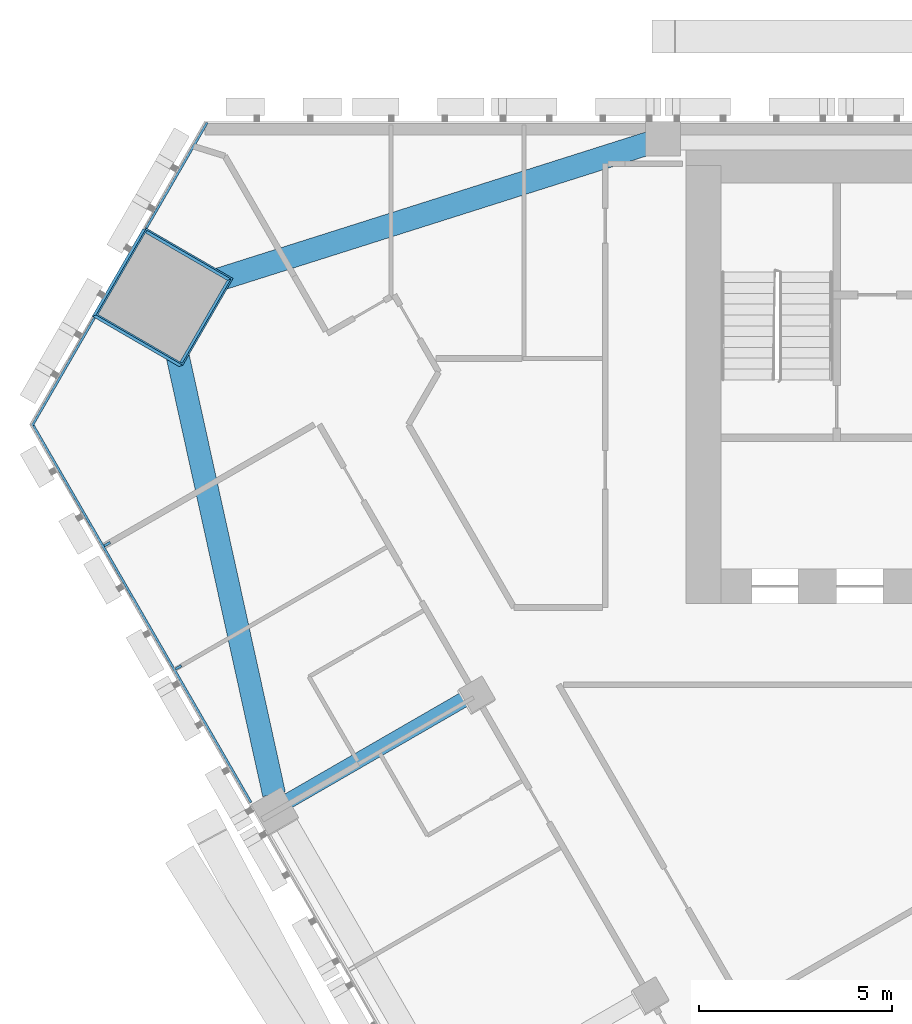
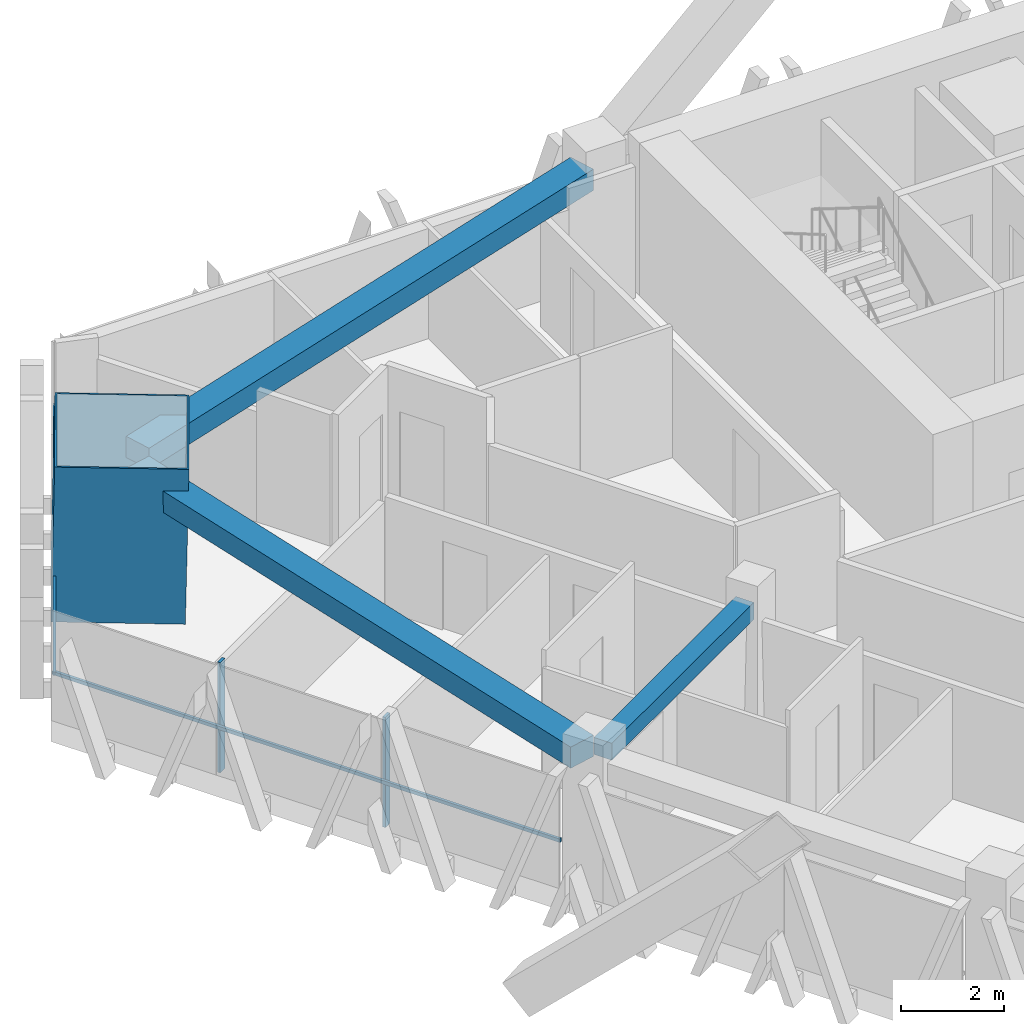
# One storey, part 8 of 19: 6 members, 3 beams, 2 elements without a shape of their own.
"""IFC4 building model written with IfcOpenShell, lengths in metres."""

from ifc_helpers import new_model, si_unit, direction, frame, origin, origin_2d, place, context, subcontext, project, spatial, rectangle, hollow_rectangle, extrude, material, layer, layer_set, material_profile, profile_set, type_object, element, aggregate, save


model = new_model("IFC4")

# Units and contexts
model_context = context("Model", 3, precision=1e-05, world=origin(), true_north=direction((0.0, 1.0)))
body_context = subcontext(model_context, "Body", "Model", "MODEL_VIEW")
ifc_project = project(units=[si_unit("LENGTHUNIT", "METRE"), si_unit("AREAUNIT", "SQUARE_METRE"), si_unit("VOLUMEUNIT", "CUBIC_METRE"), si_unit("PLANEANGLEUNIT", "RADIAN"), si_unit("MASSUNIT", "GRAM", prefix="KILO")], contexts=[model_context])

# Site, building, storey
site_placement = place(None, origin())
site = spatial("IfcSite", under=ifc_project, at=site_placement, CompositionType="ELEMENT")
building_placement = place(site_placement, origin())
building = spatial("IfcBuilding", under=site, at=building_placement, Name="Altiplano Prism Tower", CompositionType="ELEMENT")
storey_placement = place(building_placement, frame((0.0, 0.0, 70.199951171875)))
storey = spatial("IfcBuildingStorey", under=building, at=storey_placement, Name="L17", CompositionType="ELEMENT", Elevation=70.199951171875)

# Curtain wall, members
ifc_material_1 = material(Name="Aluminium and glass", Category="aluminium")
ifc_layer = layer(ifc_material_1, 0.280029296875)
ifc_layer_set = layer_set([ifc_layer], Name="Aluminium and glass")
curtain_wall_type = type_object("IfcCurtainWallType", Name="CW1 typical co-living unitised curtain wall", PredefinedType="NOTDEFINED", material=ifc_layer_set)
curtain_wall_1_placement = place(storey_placement, origin())
curtain_wall_1 = element("IfcCurtainWall", 1, at=curtain_wall_1_placement, inside=storey, type_object=curtain_wall_type, Name="CW1 curtain wall south-west face L17", PredefinedType="NOTDEFINED")
ifc_material_2 = material(Name="Aluminium", Category="aluminium")
ifc_material_profile_1 = material_profile(ifc_material_2, rectangle(XDim=0.179931640625, YDim=0.06494140625, at=origin_2d()), Name="CW1 mullion 65 x 180")
ifc_profile_set_1 = profile_set([ifc_material_profile_1], Name="Aluminium")
member_type_1 = type_object("IfcMemberType", Name="CW1 mullion 65 x 180", PredefinedType="MULLION", material=ifc_profile_set_1)
member_1_placement = place(storey_placement, frame((57.09375, 94.040283203125, 0.0), z_axis=(0.0, 0.0, 1.0), x_axis=(0.86602540313, 0.500000001134, 0.0)))
member_1 = element("IfcMember", 2, at=member_1_placement, type_object=member_type_1, Name="CW1 mullion", PredefinedType="MULLION", context=body_context, shape_type="SweptSolid", body=[
    extrude(rectangle(XDim=0.179931640625, YDim=0.06494140625, at=origin_2d()), origin(), (0.0, 0.0, 1.0), 2.60009765625),
])
member_2_placement = place(storey_placement, frame((58.93798828125, 90.845947265625, 0.0), z_axis=(0.0, 0.0, 1.0), x_axis=(0.86602540313, 0.500000001134, 0.0)))
member_2 = element("IfcMember", 3, at=member_2_placement, type_object=member_type_1, Name="CW1 mullion", PredefinedType="MULLION", context=body_context, shape_type="SweptSolid", body=[
    extrude(rectangle(XDim=0.179931640625, YDim=0.06494140625, at=origin_2d()), origin(), (0.0, 0.0, 1.0), 2.60009765625),
])

curtain_wall_2_placement = place(storey_placement, origin())
curtain_wall_2 = element("IfcCurtainWall", 4, at=curtain_wall_2_placement, inside=storey, type_object=curtain_wall_type, Name="CW1 curtain wall north-west chamfer L17", PredefinedType="NOTDEFINED")
ifc_material_profile_2 = material_profile(ifc_material_2, rectangle(XDim=0.06005859375, YDim=0.080078125, at=origin_2d()), Name="CW1 transom 80 x 60")
ifc_profile_set_2 = profile_set([ifc_material_profile_2], Name="Aluminium")
member_type_2 = type_object("IfcMemberType", Name="CW1 transom 80 x 60", PredefinedType="USERDEFINED", material=ifc_profile_set_2)
member_3_placement = place(storey_placement, frame((59.68359375, 104.965087890625, 1.10009765625), z_axis=(-0.499996807431, -0.866027247007, 0.0), x_axis=(0.866027247007, -0.499996807431, 0.0)))
member_3 = element("IfcMember", 5, at=member_3_placement, type_object=member_type_2, Name="CW1 transom", ObjectType="TRANSOM", PredefinedType="USERDEFINED", context=body_context, shape_type="SweptSolid", body=[
    extrude(rectangle(XDim=0.06005859375, YDim=0.080078125, at=origin_2d()), origin(), (0.0, 0.0, 1.0), 3.158203125),
])
member_4_placement = place(storey_placement, frame((56.7646484375, 99.908935546875, 1.10009765625), z_axis=(-0.500031372725, -0.866007289976, 0.0), x_axis=(0.866007289976, -0.500031372725, 0.0)))
member_4 = element("IfcMember", 6, at=member_4_placement, type_object=member_type_2, Name="CW1 transom", ObjectType="TRANSOM", PredefinedType="USERDEFINED", context=body_context, shape_type="SweptSolid", body=[
    extrude(rectangle(XDim=0.06005859375, YDim=0.080078125, at=origin_2d()), origin(), (0.0, 0.0, 1.0), 3.238037109375),
])
aggregate(curtain_wall_2, [member_3, member_4])

# Member
member_5_placement = place(storey_placement, frame((55.1455078125, 97.174560546875, 1.10009765625), z_axis=(0.500008019114, -0.866020773897, 0.0), x_axis=(0.866020773897, 0.500008019114, 0.0)))
member_5 = element("IfcMember", 7, at=member_5_placement, type_object=member_type_2, Name="CW1 transom", ObjectType="TRANSOM", PredefinedType="USERDEFINED", context=body_context, shape_type="SweptSolid", body=[
    extrude(rectangle(XDim=0.06005859375, YDim=0.080078125, at=origin_2d()), origin(), (0.0, 0.0, 1.0), 11.347412109375),
])

aggregate(curtain_wall_1, [member_1, member_2, member_5])

# Beams
ifc_material_3 = material(Name="Concrete C60/75", Category="concrete")
ifc_material_profile_3 = material_profile(ifc_material_3, rectangle(XDim=0.60009765625, YDim=0.5, at=origin_2d()), Name="Edge beam 600x500")
ifc_profile_set_3 = profile_set([ifc_material_profile_3], Name="Concrete C60/75")
beam_type_1 = type_object("IfcBeamType", Name="Edge beam 600x500", PredefinedType="SPANDREL", material=ifc_profile_set_3)
for number, where, z_axis, x_axis, name in (
    (8, (71.164306640625, 104.443603515625, 2.85009765625), (-0.953208029555, -0.30231515409, 0.0), (0.30231515409, -0.953208029555, 0.0), "Edge beam P04-M0 L18"),
    (9, (58.6787109375, 100.013671875, 2.85009765625), (0.214805163084, -0.976656921295, 0.0), (0.976656921295, 0.214805163084, 0.0), "Edge beam M0-P11 L18"),
):
    element("IfcBeam", number, at=place(storey_placement, frame(where, z_axis=z_axis, x_axis=x_axis)), inside=storey, type_object=beam_type_1, Name=name, PredefinedType="SPANDREL", context=body_context, shape_type="SweptSolid", body=[
        extrude(rectangle(XDim=0.60009765625, YDim=0.5, at=origin_2d()), origin(), (0.0, 0.0, 1.0), 12.75),
    ])

# Member
ifc_material_4 = material(Name="Steel S460", Category="steel")
ifc_material_profile_4 = material_profile(ifc_material_4, hollow_rectangle(XDim=2.60009765625, YDim=2.60009765625, WallThickness=0.0400390625, at=origin_2d()), Name="Mega column tube 2600")
ifc_profile_set_4 = profile_set([ifc_material_profile_4], Name="Steel S460")
member_type_3 = type_object("IfcMemberType", Name="Mega column tube 2600", PredefinedType="POST", material=ifc_profile_set_4)
member_6_placement = place(storey_placement, frame((58.479736328125, 100.419921875, 0.0), z_axis=(0.028401814599, 0.009218727412, 0.999554076572), x_axis=(-0.865120105842, 0.501167447702, 0.019959755287)))
element("IfcMember", 10, at=member_6_placement, inside=storey, type_object=member_type_3, Name="Mega column tube M0 L17", PredefinedType="POST", context=body_context, shape_type="SweptSolid", body=[
    extrude(hollow_rectangle(XDim=2.60009765625, YDim=2.60009765625, WallThickness=0.0400390625, at=origin_2d()), origin(), (0.0, 0.0, 1.0), 3.601806640625),
])

# Beam
ifc_material_profile_5 = material_profile(ifc_material_3, rectangle(XDim=0.39990234375, YDim=0.39990234375, at=origin_2d()), Name="Tie beam 400x400")
ifc_profile_set_5 = profile_set([ifc_material_profile_5], Name="Concrete C60/75")
beam_type_2 = type_object("IfcBeamType", Name="Tie beam 400x400", PredefinedType="BEAM", material=ifc_profile_set_5)
beam_placement = place(storey_placement, frame((66.533203125, 90.12744140625, 2.900146484375), z_axis=(-0.866012292785, -0.50002270823, 0.0), x_axis=(0.50002270823, -0.866012292785, 0.0)))
element("IfcBeam", 11, at=beam_placement, inside=storey, type_object=beam_type_2, Name="Tie beam I11 L18", PredefinedType="BEAM", context=body_context, shape_type="SweptSolid", body=[
    extrude(rectangle(XDim=0.39990234375, YDim=0.39990234375, at=origin_2d()), origin(), (0.0, 0.0, 1.0), 5.489990234375),
])

save(model, "model.ifc")
